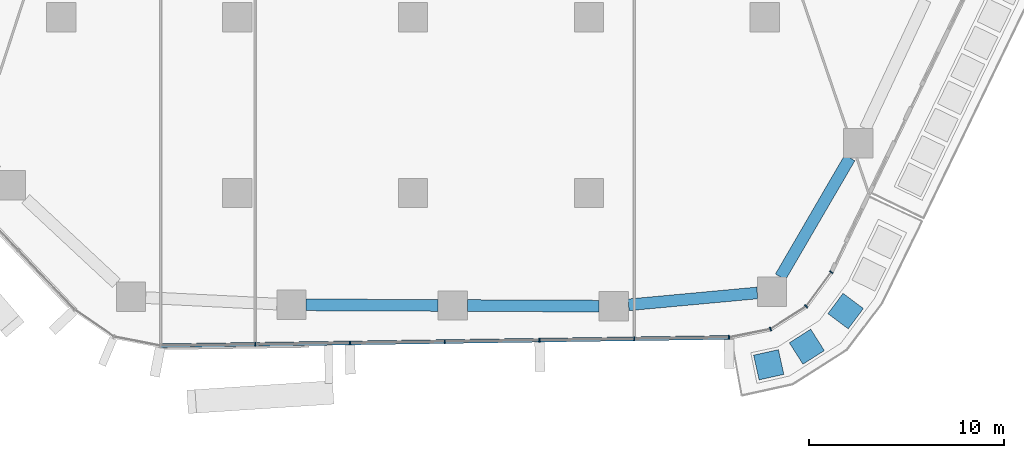
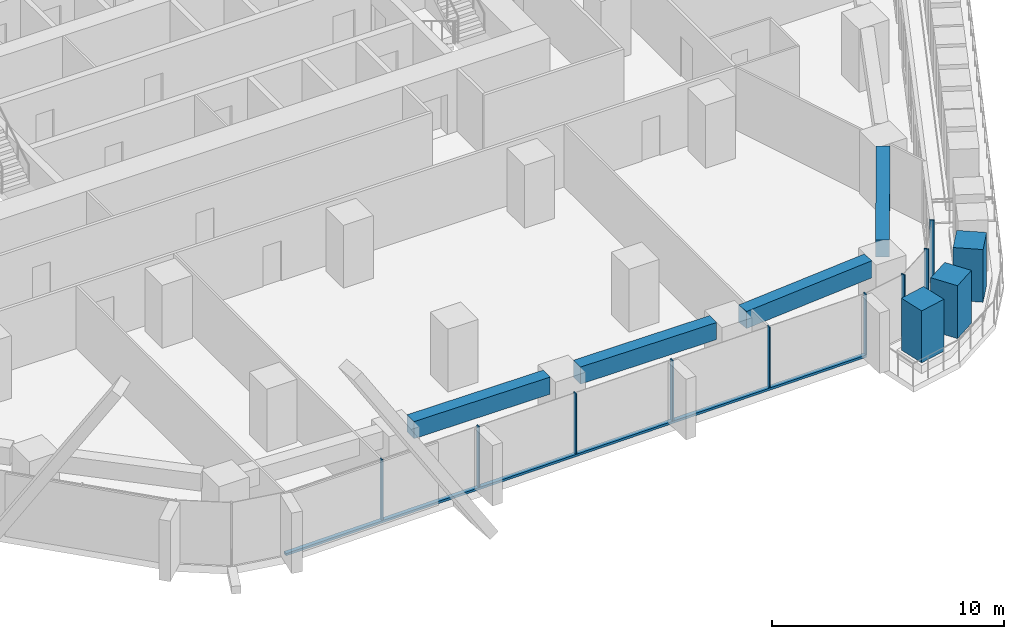
# One storey, part 4 of 24: 13 members, 4 beams, 2 elements without a shape of their own.
"""IFC4 building model written with IfcOpenShell, lengths in metres."""

from ifc_helpers import new_model, si_unit, direction, frame, origin, origin_2d, place, context, subcontext, project, spatial, rectangle, extrude, material, layer, layer_set, material_profile, profile_set, type_object, element, aggregate, save


model = new_model("IFC4")

# Units and contexts
model_context = context("Model", 3, precision=1e-05, world=origin(), true_north=direction((0.0, 1.0)))
body_context = subcontext(model_context, "Body", "Model", "MODEL_VIEW")
ifc_project = project(units=[si_unit("LENGTHUNIT", "METRE"), si_unit("AREAUNIT", "SQUARE_METRE"), si_unit("VOLUMEUNIT", "CUBIC_METRE"), si_unit("PLANEANGLEUNIT", "RADIAN"), si_unit("MASSUNIT", "GRAM", prefix="KILO")], contexts=[model_context])

# Site, building, storey
site_placement = place(None, origin())
site = spatial("IfcSite", under=ifc_project, at=site_placement, CompositionType="ELEMENT")
building_placement = place(site_placement, origin())
building = spatial("IfcBuilding", under=site, at=building_placement, Name="Dongbaek Canopy Tower", CompositionType="ELEMENT")
storey_placement = place(building_placement, frame((0.0, 0.0, 51.39990234375)))
storey = spatial("IfcBuildingStorey", under=building, at=storey_placement, Name="L08", CompositionType="ELEMENT", Elevation=51.39990234375)

# Curtain wall, members
ifc_material_1 = material(Name="Aluminium 6063-T6 pale anodised", Category="aluminium")
ifc_layer = layer(ifc_material_1, 0.199951171875)
ifc_layer_set = layer_set([ifc_layer], Name="CW-1 unitised tower curtain wall")
curtain_wall_type = type_object("IfcCurtainWallType", Name="CW-1 unitised tower curtain wall", PredefinedType="NOTDEFINED", material=ifc_layer_set)
curtain_wall_1_placement = place(storey_placement, origin())
curtain_wall_1 = element("IfcCurtainWall", 1, at=curtain_wall_1_placement, inside=storey, type_object=curtain_wall_type, Name="CW-1 curtain wall F4.1", PredefinedType="NOTDEFINED")
ifc_material_2 = material(Name="Aluminium 6063-T6 pale anodised", Category="aluminium")
ifc_material_profile_1 = material_profile(ifc_material_2, rectangle(XDim=0.199951171875, YDim=0.06005859375, at=origin_2d()), Name="CW-1 mullion 60 x 200")
ifc_profile_set_1 = profile_set([ifc_material_profile_1], Name="Aluminium 6063-T6 pale anodised")
member_type_1 = type_object("IfcMemberType", Name="CW-1 mullion 60 x 200", PredefinedType="MULLION", material=ifc_profile_set_1)
member_1_placement = place(storey_placement, frame((-8.08056640625, -34.741943359375, 0.1201171875), z_axis=(0.0, 0.0, 1.0), x_axis=(0.014618811778, -0.999893139462, 0.0)))
member_1 = element("IfcMember", 2, at=member_1_placement, type_object=member_type_1, Name="CW-1 mullion F4.1.2", PredefinedType="MULLION", context=body_context, shape_type="SweptSolid", body=[
    extrude(rectangle(XDim=0.199951171875, YDim=0.06005859375, at=origin_2d()), origin(), (0.0, 0.0, 1.0), 3.179931640625),
])
member_2_placement = place(storey_placement, frame((-3.229248046875, -34.671142578125, 0.1201171875), z_axis=(0.0, 0.0, 1.0), x_axis=(0.014618811778, -0.999893139462, 0.0)))
member_2 = element("IfcMember", 3, at=member_2_placement, type_object=member_type_1, Name="CW-1 mullion F4.1.3", PredefinedType="MULLION", context=body_context, shape_type="SweptSolid", body=[
    extrude(rectangle(XDim=0.199951171875, YDim=0.06005859375, at=origin_2d()), origin(), (0.0, 0.0, 1.0), 3.179931640625),
])
member_3_placement = place(storey_placement, frame((1.6220703125, -34.60009765625, 0.1201171875), z_axis=(0.0, 0.0, 1.0), x_axis=(0.014618811778, -0.999893139462, 0.0)))
member_3 = element("IfcMember", 4, at=member_3_placement, type_object=member_type_1, Name="CW-1 mullion F4.1.4", PredefinedType="MULLION", context=body_context, shape_type="SweptSolid", body=[
    extrude(rectangle(XDim=0.199951171875, YDim=0.06005859375, at=origin_2d()), origin(), (0.0, 0.0, 1.0), 3.179931640625),
])
member_4_placement = place(storey_placement, frame((6.473388671875, -34.529052734375, 0.1201171875), z_axis=(0.0, 0.0, 1.0), x_axis=(0.014618811778, -0.999893139462, 0.0)))
member_4 = element("IfcMember", 5, at=member_4_placement, type_object=member_type_1, Name="CW-1 mullion F4.1.5", PredefinedType="MULLION", context=body_context, shape_type="SweptSolid", body=[
    extrude(rectangle(XDim=0.199951171875, YDim=0.06005859375, at=origin_2d()), origin(), (0.0, 0.0, 1.0), 3.179931640625),
])
member_5_placement = place(storey_placement, frame((11.32470703125, -34.458251953125, 0.1201171875), z_axis=(0.0, 0.0, 1.0), x_axis=(0.014618811778, -0.999893139462, 0.0)))
member_5 = element("IfcMember", 6, at=member_5_placement, type_object=member_type_1, Name="CW-1 mullion F4.1.6", PredefinedType="MULLION", context=body_context, shape_type="SweptSolid", body=[
    extrude(rectangle(XDim=0.199951171875, YDim=0.06005859375, at=origin_2d()), origin(), (0.0, 0.0, 1.0), 3.179931640625),
])
member_6_placement = place(storey_placement, frame((16.166748046875, -34.387451171875, 0.1201171875), z_axis=(0.0, 0.0, 1.0), x_axis=(0.014618811778, -0.999893139462, 0.0)))
member_6 = element("IfcMember", 7, at=member_6_placement, type_object=member_type_1, Name="CW-1 mullion F4.1.7", PredefinedType="MULLION", context=body_context, shape_type="SweptSolid", body=[
    extrude(rectangle(XDim=0.199951171875, YDim=0.06005859375, at=origin_2d()), origin(), (0.0, 0.0, 1.0), 3.179931640625),
])

curtain_wall_2_placement = place(storey_placement, origin())
curtain_wall_2 = element("IfcCurtainWall", 8, at=curtain_wall_2_placement, inside=storey, type_object=curtain_wall_type, Name="CW-1 curtain wall K5.1", PredefinedType="NOTDEFINED")
member_7_placement = place(storey_placement, frame((18.29541015625, -33.958251953125, 0.0), z_axis=(0.0, 0.0, 1.0), x_axis=(0.37392882128, -0.927457404206, 0.0)))
member_7 = element("IfcMember", 9, at=member_7_placement, type_object=member_type_1, Name="CW-1 mullion K5.1.2", PredefinedType="MULLION", context=body_context, shape_type="SweptSolid", body=[
    extrude(rectangle(XDim=0.199951171875, YDim=0.06005859375, at=origin_2d()), origin(), (0.0, 0.0, 1.0), 3.300048828125),
])
member_8_placement = place(storey_placement, frame((20.118408203125, -32.796142578125, 0.0), z_axis=(0.0, 0.0, 1.0), x_axis=(0.683001262317, -0.730417192892, 0.0)))
member_8 = element("IfcMember", 10, at=member_8_placement, type_object=member_type_1, Name="CW-1 mullion K5.1.3", PredefinedType="MULLION", context=body_context, shape_type="SweptSolid", body=[
    extrude(rectangle(XDim=0.199951171875, YDim=0.06005859375, at=origin_2d()), origin(), (0.0, 0.0, 1.0), 3.300048828125),
])
member_9_placement = place(storey_placement, frame((21.40576171875, -31.047607421875, 0.0), z_axis=(0.0, 0.0, 1.0), x_axis=(0.805296174673, -0.592872727538, 0.0)))
member_9 = element("IfcMember", 11, at=member_9_placement, type_object=member_type_1, Name="CW-1 mullion K5.1.4", PredefinedType="MULLION", context=body_context, shape_type="SweptSolid", body=[
    extrude(rectangle(XDim=0.199951171875, YDim=0.06005859375, at=origin_2d()), origin(), (0.0, 0.0, 1.0), 3.300048828125),
])
aggregate(curtain_wall_2, [member_7, member_8, member_9])

# Member
ifc_material_3 = material(Name="Aluminium 6063-T6 pale anodised", Category="aluminium")
ifc_material_profile_2 = material_profile(ifc_material_3, rectangle(XDim=0.199951171875, YDim=0.1201171875, at=origin_2d()), Name="CW-1 transom 120 x 200")
ifc_profile_set_2 = profile_set([ifc_material_profile_2], Name="Aluminium 6063-T6 pale anodised")
member_type_2 = type_object("IfcMemberType", Name="CW-1 transom 120 x 200", PredefinedType="USERDEFINED", material=ifc_profile_set_2)
member_10_placement = place(storey_placement, frame((-12.92138671875, -34.812744140625, 0.06005859375), z_axis=(0.99989313265, 0.014619277662, 0.0), x_axis=(-0.014619277662, 0.99989313265, 0.0)))
member_10 = element("IfcMember", 12, at=member_10_placement, type_object=member_type_2, Name="CW-1 transom F4.1.1", ObjectType="TRANSOM", PredefinedType="USERDEFINED", context=body_context, shape_type="SweptSolid", body=[
    extrude(rectangle(XDim=0.199951171875, YDim=0.1201171875, at=origin_2d()), origin(), (0.0, 0.0, 1.0), 29.09130859375),
])

aggregate(curtain_wall_1, [member_1, member_2, member_3, member_4, member_5, member_6, member_10])

# Beams
ifc_material_4 = material(Name="Concrete C80", Category="concrete")
ifc_material_profile_3 = material_profile(ifc_material_4, rectangle(XDim=0.60009765625, YDim=0.89990234375, at=origin_2d()), Name="RC EDGE BEAM 600x900 C80")
ifc_profile_set_3 = profile_set([ifc_material_profile_3], Name="Concrete C80")
beam_type = type_object("IfcBeamType", Name="RC EDGE BEAM 600x900 C80", PredefinedType="BEAM", material=ifc_profile_set_3)
beam_1_placement = place(storey_placement, frame((17.617919921875, -32.1123046875, 2.85009765625), z_axis=(-0.995766471257, -0.091919174929, 0.0), x_axis=(0.091919174929, -0.995766471257, 0.0)))
element("IfcBeam", 13, at=beam_1_placement, inside=storey, type_object=beam_type, Name="EDGEBEAM:L08:00", PredefinedType="BEAM", context=body_context, shape_type="SweptSolid", body=[
    extrude(rectangle(XDim=0.60009765625, YDim=0.89990234375, at=origin_2d()), origin(), (0.0, 0.0, 1.0), 6.618896484375),
])
beam_2_placement = place(storey_placement, frame((9.527099609375, -32.78662109375, 2.85009765625), z_axis=(-0.999989942747, 0.004484908597, 0.0), x_axis=(-0.004484908597, -0.999989942747, 0.0)))
element("IfcBeam", 14, at=beam_2_placement, inside=storey, type_object=beam_type, Name="EDGEBEAM:L08:01", PredefinedType="BEAM", context=body_context, shape_type="SweptSolid", body=[
    extrude(rectangle(XDim=0.60009765625, YDim=0.89990234375, at=origin_2d()), origin(), (0.0, 0.0, 1.0), 6.75),
])
beam_3_placement = place(storey_placement, frame((1.277099609375, -32.749755859375, 2.85009765625), z_axis=(-0.999990420723, 0.004377038088, 0.0), x_axis=(-0.004377038088, -0.999990420723, 0.0)))
element("IfcBeam", 15, at=beam_3_placement, inside=storey, type_object=beam_type, Name="EDGEBEAM:L08:02", PredefinedType="BEAM", context=body_context, shape_type="SweptSolid", body=[
    extrude(rectangle(XDim=0.60009765625, YDim=0.89990234375, at=origin_2d()), origin(), (0.0, 0.0, 1.0), 6.7490234375),
])
beam_4_placement = place(storey_placement, frame((22.35546875, -25.193115234375, 2.85009765625), z_axis=(-0.503081510817, -0.864238967806, 0.0), x_axis=(0.864238967806, -0.503081510817, 0.0)))
element("IfcBeam", 16, at=beam_4_placement, inside=storey, type_object=beam_type, Name="EDGEBEAM:L08:25", PredefinedType="BEAM", context=body_context, shape_type="SweptSolid", body=[
    extrude(rectangle(XDim=0.60009765625, YDim=0.89990234375, at=origin_2d()), origin(), (0.0, 0.0, 1.0), 7.05810546875),
])

# Members
ifc_material_5 = material(Name="Concrete C40/50 planter mass with planting", Category="concrete")
ifc_material_profile_4 = material_profile(ifc_material_5, rectangle(XDim=1.300048828125, YDim=1.300048828125, at=origin_2d()), Name="Terrace PLANTER shrub mass 1300 x 1300")
ifc_profile_set_4 = profile_set([ifc_material_profile_4], Name="Concrete C40/50 planter mass with planting")
member_type_3 = type_object("IfcMemberType", Name="Terrace PLANTER shrub mass 1300 x 1300", PredefinedType="USERDEFINED", material=ifc_profile_set_4)
member_11_placement = place(storey_placement, frame((18.2041015625, -35.7880859375, 0.420166015625), z_axis=(0.0, 0.0, 1.0), x_axis=(0.215583505402, -0.976485408083, 0.0)))
element("IfcMember", 17, at=member_11_placement, inside=storey, type_object=member_type_3, Name="Planter shrubs L08 7.1", ObjectType="PLANTER", PredefinedType="USERDEFINED", context=body_context, shape_type="SweptSolid", body=[
    extrude(rectangle(XDim=1.300048828125, YDim=1.300048828125, at=origin_2d()), origin(), (0.0, 0.0, 1.0), 2.72998046875),
])
member_12_placement = place(storey_placement, frame((20.15380859375, -34.862548828125, 0.420166015625), z_axis=(0.0, 0.0, 1.0), x_axis=(0.53757000626, -0.843219122393, 0.0)))
element("IfcMember", 18, at=member_12_placement, inside=storey, type_object=member_type_3, Name="Planter shrubs L08 7.2", ObjectType="PLANTER", PredefinedType="USERDEFINED", context=body_context, shape_type="SweptSolid", body=[
    extrude(rectangle(XDim=1.300048828125, YDim=1.300048828125, at=origin_2d()), origin(), (0.0, 0.0, 1.0), 2.780029296875),
])
member_13_placement = place(storey_placement, frame((22.140625, -33.038330078125, 0.420166015625), z_axis=(0.0, 0.0, 1.0), x_axis=(0.800496779808, -0.599337055018, 0.0)))
element("IfcMember", 19, at=member_13_placement, inside=storey, type_object=member_type_3, Name="Planter shrubs L08 7.3", ObjectType="PLANTER", PredefinedType="USERDEFINED", context=body_context, shape_type="SweptSolid", body=[
    extrude(rectangle(XDim=1.300048828125, YDim=1.300048828125, at=origin_2d()), origin(), (0.0, 0.0, 1.0), 2.77001953125),
])

save(model, "model.ifc")
